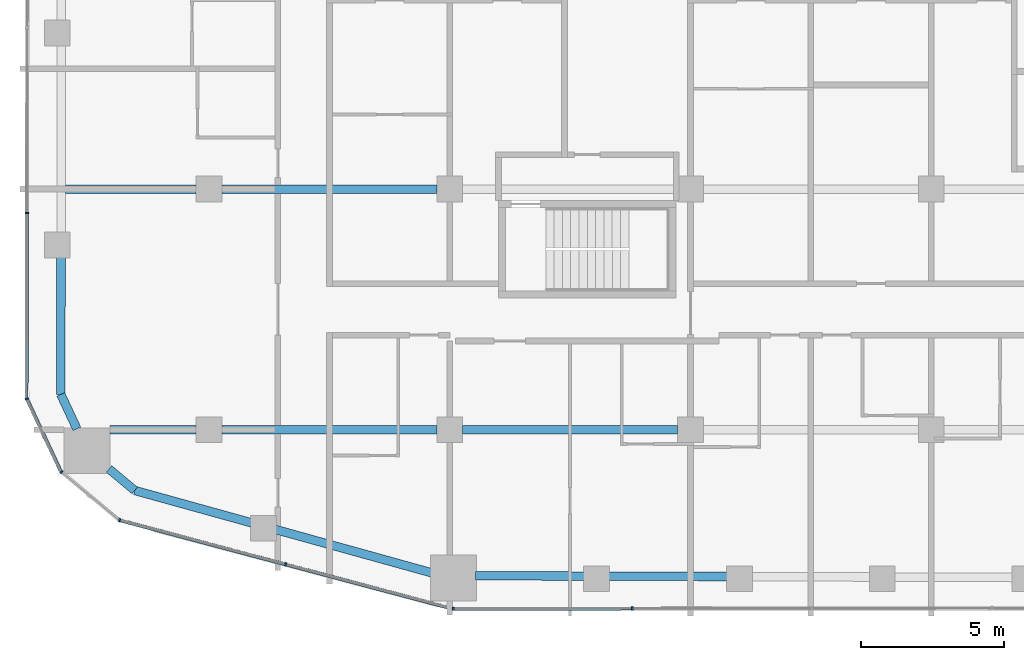
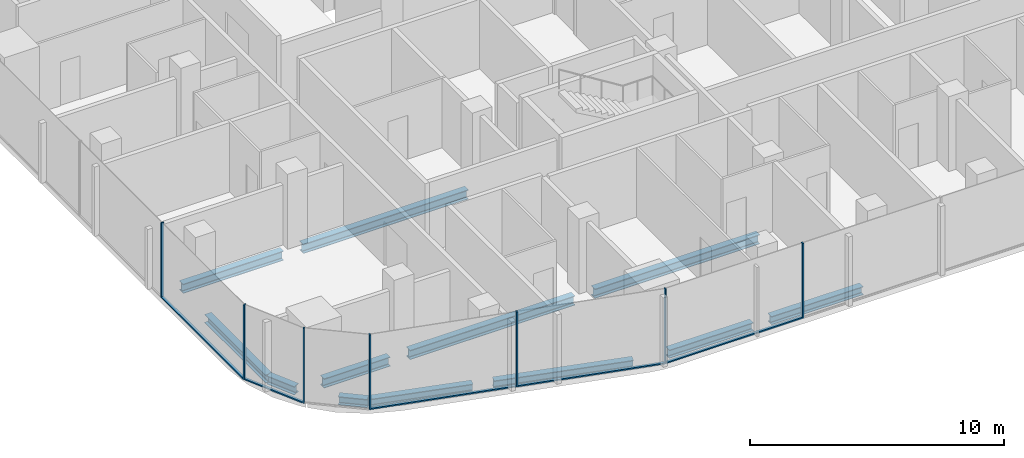
# One storey, part 2 of 23: 12 beams, 12 members, 5 elements without a shape of their own.
"""IFC4 building model written with IfcOpenShell, lengths in metres."""

from ifc_helpers import new_model, si_unit, direction, frame, origin, origin_2d, place, context, subcontext, project, spatial, rectangle, i_section, extrude, material, layer, layer_set, material_profile, profile_set, type_object, element, aggregate, save


model = new_model("IFC4")

# Units and contexts
model_context = context("Model", 3, precision=1e-05, world=origin(), true_north=direction((0.0, 1.0)))
body_context = subcontext(model_context, "Body", "Model", "MODEL_VIEW")
ifc_project = project(units=[si_unit("LENGTHUNIT", "METRE"), si_unit("AREAUNIT", "SQUARE_METRE"), si_unit("VOLUMEUNIT", "CUBIC_METRE"), si_unit("PLANEANGLEUNIT", "RADIAN"), si_unit("MASSUNIT", "GRAM", prefix="KILO")], contexts=[model_context])

# Site, building, storey
site_placement = place(None, origin())
site = spatial("IfcSite", under=ifc_project, at=site_placement, CompositionType="ELEMENT")
building_placement = place(site_placement, origin())
building = spatial("IfcBuilding", under=site, at=building_placement, Name="Marenta Gate Hotel Tower", CompositionType="ELEMENT")
storey_placement = place(building_placement, frame((0.0, 0.0, 162.5)))
storey = spatial("IfcBuildingStorey", under=building, at=storey_placement, Name="L38", CompositionType="ELEMENT", Elevation=162.5)

# Beams
ifc_material_1 = material(Name="Steel S355", Category="steel")
ifc_material_profile_1 = material_profile(ifc_material_1, i_section(OverallWidth=0.300048828125, OverallDepth=0.39990234375, WebThickness=0.013427734375, FlangeThickness=0.02392578125, FilletRadius=0.027099609375, at=origin_2d()), Name="HEB 400")
ifc_profile_set_1 = profile_set([ifc_material_profile_1], Name="Steel S355")
beam_type_1 = type_object("IfcBeamType", Name="Edge beam HEB 400", PredefinedType="SPANDREL", material=ifc_profile_set_1)
beam_1_placement = place(storey_placement, frame((-13.227783203125, -21.794677734375, -0.4599609375), z_axis=(-0.963615860477, 0.267290990189, 0.0), x_axis=(-0.267290990189, -0.963615860477, 0.0)))
element("IfcBeam", 1, at=beam_1_placement, inside=storey, type_object=beam_type_1, Name="L38-EB-1", PredefinedType="SPANDREL", context=body_context, shape_type="SweptSolid", body=[
    extrude(i_section(OverallWidth=0.300048828125, OverallDepth=0.39990234375, WebThickness=0.013427734375, FlangeThickness=0.02392578125, FilletRadius=0.027099609375, at=origin_2d()), origin(), (0.0, 0.0, 1.0), 5.674072265625),
])
beam_2_placement = place(storey_placement, frame((-19.518310546875, -20.0498046875, -0.4599609375), z_axis=(-0.963630213062, 0.267239242016, 0.0), x_axis=(-0.267239242016, -0.963630213062, 0.0)))
element("IfcBeam", 2, at=beam_2_placement, inside=storey, type_object=beam_type_1, Name="L38-EB-2", PredefinedType="SPANDREL", context=body_context, shape_type="SweptSolid", body=[
    extrude(i_section(OverallWidth=0.300048828125, OverallDepth=0.39990234375, WebThickness=0.013427734375, FlangeThickness=0.02392578125, FilletRadius=0.027099609375, at=origin_2d()), origin(), (0.0, 0.0, 1.0), 4.232666015625),
])
beam_3_placement = place(storey_placement, frame((-23.596923828125, -18.918701171875, -0.4599609375), z_axis=(-0.767073132856, 0.641559668972, 0.0), x_axis=(-0.641559668972, -0.767073132856, 0.0)))
element("IfcBeam", 3, at=beam_3_placement, inside=storey, type_object=beam_type_1, Name="L38-EB-3", PredefinedType="SPANDREL", context=body_context, shape_type="SweptSolid", body=[
    extrude(i_section(OverallWidth=0.300048828125, OverallDepth=0.39990234375, WebThickness=0.013427734375, FlangeThickness=0.02392578125, FilletRadius=0.027099609375, at=origin_2d()), origin(), (0.0, 0.0, 1.0), 1.1689453125),
])
beam_4_placement = place(storey_placement, frame((-25.613525390625, -16.769287109375, -0.4599609375), z_axis=(-0.423207780269, 0.906032656541, 0.0), x_axis=(-0.906032656541, -0.423207780269, 0.0)))
element("IfcBeam", 4, at=beam_4_placement, inside=storey, type_object=beam_type_1, Name="L38-EB-4", PredefinedType="SPANDREL", context=body_context, shape_type="SweptSolid", body=[
    extrude(i_section(OverallWidth=0.300048828125, OverallDepth=0.39990234375, WebThickness=0.013427734375, FlangeThickness=0.02392578125, FilletRadius=0.027099609375, at=origin_2d()), origin(), (0.0, 0.0, 1.0), 1.326904296875),
])
beam_5_placement = place(storey_placement, frame((-26.175048828125, -15.567138671875, -0.4599609375), z_axis=(0.001371810517, 0.999999059068, 0.0), x_axis=(-0.999999059068, 0.001371810517, 0.0)))
element("IfcBeam", 5, at=beam_5_placement, inside=storey, type_object=beam_type_1, Name="L38-EB-5", PredefinedType="SPANDREL", context=body_context, shape_type="SweptSolid", body=[
    extrude(i_section(OverallWidth=0.300048828125, OverallDepth=0.39990234375, WebThickness=0.013427734375, FlangeThickness=0.02392578125, FilletRadius=0.027099609375, at=origin_2d()), origin(), (0.0, 0.0, 1.0), 4.80517578125),
])
beam_6_placement = place(storey_placement, frame((-2.9033203125, -21.92333984375, -0.4599609375), z_axis=(-0.999994807487, 0.003222576575, 0.0), x_axis=(-0.003222576575, -0.999994807487, 0.0)))
element("IfcBeam", 6, at=beam_6_placement, inside=storey, type_object=beam_type_1, Name="L38-EB-35", PredefinedType="SPANDREL", context=body_context, shape_type="SweptSolid", body=[
    extrude(i_section(OverallWidth=0.300048828125, OverallDepth=0.39990234375, WebThickness=0.013427734375, FlangeThickness=0.02392578125, FilletRadius=0.027099609375, at=origin_2d()), origin(), (0.0, 0.0, 1.0), 4.166748046875),
])
beam_7_placement = place(storey_placement, frame((-7.89013671875, -21.907470703125, -0.4599609375), z_axis=(-0.999994677283, 0.003262729738, 0.0), x_axis=(-0.003262729738, -0.999994677283, 0.0)))
element("IfcBeam", 7, at=beam_7_placement, inside=storey, type_object=beam_type_1, Name="L38-EB-36", PredefinedType="SPANDREL", context=body_context, shape_type="SweptSolid", body=[
    extrude(i_section(OverallWidth=0.300048828125, OverallDepth=0.39990234375, WebThickness=0.013427734375, FlangeThickness=0.02392578125, FilletRadius=0.027099609375, at=origin_2d()), origin(), (0.0, 0.0, 1.0), 3.816162109375),
])
ifc_material_2 = material(Name="Steel S355", Category="steel")
ifc_material_profile_2 = material_profile(ifc_material_2, i_section(OverallWidth=0.300048828125, OverallDepth=0.449951171875, WebThickness=0.013916015625, FlangeThickness=0.02587890625, FilletRadius=0.027099609375, at=origin_2d()), Name="HEB 450")
ifc_profile_set_2 = profile_set([ifc_material_profile_2], Name="Steel S355")
beam_type_2 = type_object("IfcBeamType", Name="Girder HEB 450", PredefinedType="BEAM", material=ifc_profile_set_2)
beam_8_placement = place(storey_placement, frame((-24.462890625, -16.800048828125, -0.485107421875), z_axis=(1.0, 0.0, 0.0), x_axis=(0.0, 1.0, 0.0)))
element("IfcBeam", 8, at=beam_8_placement, inside=storey, type_object=beam_type_2, Name="L38-GD-1", PredefinedType="BEAM", context=body_context, shape_type="SweptSolid", body=[
    extrude(i_section(OverallWidth=0.300048828125, OverallDepth=0.449951171875, WebThickness=0.013916015625, FlangeThickness=0.02587890625, FilletRadius=0.027099609375, at=origin_2d()), origin(), (0.0, 0.0, 1.0), 3.012939453125),
])
for number, where, z_axis, x_axis, name in (
    (9, (-20.550048828125, -16.800048828125, -0.485107421875), (1.0, 0.0, 0.0), (0.0, 1.0, 0.0), "L38-GD-2"),
    (10, (-12.14990234375, -16.800048828125, -0.485107421875), (1.0, 0.0, 0.0), (0.0, 1.0, 0.0), "L38-GD-3"),
):
    element("IfcBeam", number, at=place(storey_placement, frame(where, z_axis=z_axis, x_axis=x_axis)), inside=storey, type_object=beam_type_2, Name=name, PredefinedType="BEAM", context=body_context, shape_type="SweptSolid", body=[
        extrude(i_section(OverallWidth=0.300048828125, OverallDepth=0.449951171875, WebThickness=0.013916015625, FlangeThickness=0.02587890625, FilletRadius=0.027099609375, at=origin_2d()), origin(), (0.0, 0.0, 1.0), 7.5),
    ])
beam_9_placement = place(storey_placement, frame((-26.01513671875, -8.39990234375, -0.485107421875), z_axis=(1.0, 0.0, 0.0), x_axis=(0.0, 1.0, 0.0)))
element("IfcBeam", 11, at=beam_9_placement, inside=storey, type_object=beam_type_2, Name="L38-GD-8", PredefinedType="BEAM", context=body_context, shape_type="SweptSolid", body=[
    extrude(i_section(OverallWidth=0.300048828125, OverallDepth=0.449951171875, WebThickness=0.013916015625, FlangeThickness=0.02587890625, FilletRadius=0.027099609375, at=origin_2d()), origin(), (0.0, 0.0, 1.0), 4.565185546875),
])
beam_10_placement = place(storey_placement, frame((-20.550048828125, -8.39990234375, -0.485107421875), z_axis=(1.0, 0.0, 0.0), x_axis=(0.0, 1.0, 0.0)))
element("IfcBeam", 12, at=beam_10_placement, inside=storey, type_object=beam_type_2, Name="L38-GD-9", PredefinedType="BEAM", context=body_context, shape_type="SweptSolid", body=[
    extrude(i_section(OverallWidth=0.300048828125, OverallDepth=0.449951171875, WebThickness=0.013916015625, FlangeThickness=0.02587890625, FilletRadius=0.027099609375, at=origin_2d()), origin(), (0.0, 0.0, 1.0), 7.5),
])

# Curtain wall, member
ifc_material_3 = material(Name="Tinted insulated glass in bronze anodised frame", Category="glass")
ifc_layer = layer(ifc_material_3, 0.1201171875)
ifc_layer_set = layer_set([ifc_layer], Name="Tinted insulated glass in bronze anodised frame")
curtain_wall_type = type_object("IfcCurtainWallType", Name="Tower unitised curtain wall CW1", PredefinedType="NOTDEFINED", material=ifc_layer_set)
curtain_wall_1_placement = place(storey_placement, origin())
curtain_wall_1 = element("IfcCurtainWall", 13, at=curtain_wall_1_placement, inside=storey, type_object=curtain_wall_type, Name="CW1 run G03", PredefinedType="NOTDEFINED")
ifc_material_4 = material(Name="Bronze anodised aluminium", Category="aluminium")
ifc_material_profile_3 = material_profile(ifc_material_4, rectangle(XDim=0.1201171875, YDim=0.06005859375, at=origin_2d()), Name="Mullion CW1 60x120 bronze anodised aluminium")
ifc_profile_set_3 = profile_set([ifc_material_profile_3], Name="Bronze anodised aluminium")
member_type_1 = type_object("IfcMemberType", Name="Mullion CW1 60x120 bronze anodised aluminium", PredefinedType="MULLION", material=ifc_profile_set_3)
member_1_placement = place(storey_placement, frame((-27.36279296875, -9.23388671875, 0.0), z_axis=(0.0, 0.0, 1.0), x_axis=(0.99999877375, -0.001566045546, 0.0)))
member_1 = element("IfcMember", 14, at=member_1_placement, type_object=member_type_1, Name="CW1 mullion 6", PredefinedType="MULLION", context=body_context, shape_type="SweptSolid", body=[
    extrude(rectangle(XDim=0.1201171875, YDim=0.06005859375, at=origin_2d()), origin(), (0.0, 0.0, 1.0), 3.60009765625),
])

curtain_wall_2_placement = place(storey_placement, origin())
curtain_wall_2 = element("IfcCurtainWall", 15, at=curtain_wall_2_placement, inside=storey, type_object=curtain_wall_type, Name="CW1 run G04", PredefinedType="NOTDEFINED")
member_2_placement = place(storey_placement, frame((-27.3603515625, -15.720947265625, 0.0), z_axis=(0.0, 0.0, 1.0), x_axis=(0.905971778319, 0.423338088163, 0.0)))
member_2 = element("IfcMember", 16, at=member_2_placement, type_object=member_type_1, Name="CW1 mullion 1", PredefinedType="MULLION", context=body_context, shape_type="SweptSolid", body=[
    extrude(rectangle(XDim=0.1201171875, YDim=0.06005859375, at=origin_2d()), origin(), (0.0, 0.0, 1.0), 3.60009765625),
])

curtain_wall_3_placement = place(storey_placement, origin())
curtain_wall_3 = element("IfcCurtainWall", 17, at=curtain_wall_3_placement, inside=storey, type_object=curtain_wall_type, Name="CW1 run G05", PredefinedType="NOTDEFINED")
member_3_placement = place(storey_placement, frame((-26.152099609375, -18.27685546875, 0.0), z_axis=(0.0, 0.0, 1.0), x_axis=(0.641512168126, 0.767112858807, 0.0)))
member_3 = element("IfcMember", 18, at=member_3_placement, type_object=member_type_1, Name="CW1 mullion 1", PredefinedType="MULLION", context=body_context, shape_type="SweptSolid", body=[
    extrude(rectangle(XDim=0.1201171875, YDim=0.06005859375, at=origin_2d()), origin(), (0.0, 0.0, 1.0), 3.60009765625),
])
aggregate(curtain_wall_3, [member_3])

# Curtain wall, members
curtain_wall_4_placement = place(storey_placement, origin())
curtain_wall_4 = element("IfcCurtainWall", 19, at=curtain_wall_4_placement, inside=storey, type_object=curtain_wall_type, Name="CW1 run G06", PredefinedType="NOTDEFINED")
member_4_placement = place(storey_placement, frame((-24.12451171875, -19.955810546875, 0.0), z_axis=(0.0, 0.0, 1.0), x_axis=(0.257143631229, 0.966373195468, 0.0)))
member_4 = element("IfcMember", 20, at=member_4_placement, type_object=member_type_1, Name="CW1 mullion 1", PredefinedType="MULLION", context=body_context, shape_type="SweptSolid", body=[
    extrude(rectangle(XDim=0.1201171875, YDim=0.06005859375, at=origin_2d()), origin(), (0.0, 0.0, 1.0), 3.60009765625),
])
member_5_placement = place(storey_placement, frame((-18.32958984375, -21.497802734375, 0.0), z_axis=(0.0, 0.0, 1.0), x_axis=(0.257143631229, 0.966373195468, 0.0)))
member_5 = element("IfcMember", 21, at=member_5_placement, type_object=member_type_1, Name="CW1 mullion 2", PredefinedType="MULLION", context=body_context, shape_type="SweptSolid", body=[
    extrude(rectangle(XDim=0.1201171875, YDim=0.06005859375, at=origin_2d()), origin(), (0.0, 0.0, 1.0), 3.60009765625),
])

curtain_wall_5_placement = place(storey_placement, origin())
curtain_wall_5 = element("IfcCurtainWall", 22, at=curtain_wall_5_placement, inside=storey, type_object=curtain_wall_type, Name="CW1 run G07", PredefinedType="NOTDEFINED")
member_6_placement = place(storey_placement, frame((-12.475830078125, -23.04736328125, 0.0), z_axis=(0.0, 0.0, 1.0), x_axis=(-0.001362347707, 0.999999072004, 0.0)))
member_6 = element("IfcMember", 23, at=member_6_placement, type_object=member_type_1, Name="CW1 mullion 1", PredefinedType="MULLION", context=body_context, shape_type="SweptSolid", body=[
    extrude(rectangle(XDim=0.1201171875, YDim=0.06005859375, at=origin_2d()), origin(), (0.0, 0.0, 1.0), 3.60009765625),
])
member_7_placement = place(storey_placement, frame((-6.22998046875, -23.0390625, 0.0), z_axis=(0.0, 0.0, 1.0), x_axis=(-0.001362347707, 0.999999072004, 0.0)))
member_7 = element("IfcMember", 24, at=member_7_placement, type_object=member_type_1, Name="CW1 mullion 2", PredefinedType="MULLION", context=body_context, shape_type="SweptSolid", body=[
    extrude(rectangle(XDim=0.1201171875, YDim=0.06005859375, at=origin_2d()), origin(), (0.0, 0.0, 1.0), 3.60009765625),
])

# Member
ifc_material_5 = material(Name="Bronze anodised aluminium", Category="aluminium")
ifc_material_profile_4 = material_profile(ifc_material_5, rectangle(XDim=0.1201171875, YDim=0.06005859375, at=origin_2d()), Name="Transom CW1 60x120 bronze anodised aluminium")
ifc_profile_set_4 = profile_set([ifc_material_profile_4], Name="Bronze anodised aluminium")
member_type_2 = type_object("IfcMemberType", Name="Transom CW1 60x120 bronze anodised aluminium", PredefinedType="USERDEFINED", material=ifc_profile_set_4)
member_8_placement = place(storey_placement, frame((-27.363037109375, -9.263916015625, 0.030029296875), z_axis=(-0.001556743377, -0.999998788274, 0.0), x_axis=(0.999998788274, -0.001556743377, 0.0)))
member_8 = element("IfcMember", 25, at=member_8_placement, type_object=member_type_2, Name="CW1 transom 6.1", ObjectType="TRANSOM", PredefinedType="USERDEFINED", context=body_context, shape_type="SweptSolid", body=[
    extrude(rectangle(XDim=0.1201171875, YDim=0.06005859375, at=origin_2d()), origin(), (0.0, 0.0, 1.0), 6.429931640625),
])

aggregate(curtain_wall_1, [member_1, member_8])

member_9_placement = place(storey_placement, frame((-27.34765625, -15.748046875, 0.030029296875), z_axis=(0.423329323939, -0.905975873572, 0.0), x_axis=(0.905975873572, 0.423329323939, 0.0)))
member_9 = element("IfcMember", 26, at=member_9_placement, type_object=member_type_2, Name="CW1 transom 1.1", ObjectType="TRANSOM", PredefinedType="USERDEFINED", context=body_context, shape_type="SweptSolid", body=[
    extrude(rectangle(XDim=0.1201171875, YDim=0.06005859375, at=origin_2d()), origin(), (0.0, 0.0, 1.0), 2.77001953125),
])

aggregate(curtain_wall_2, [member_2, member_9])

member_10_placement = place(storey_placement, frame((-24.095458984375, -19.963623046875, 0.030029296875), z_axis=(0.966369276777, -0.257158357634, 0.0), x_axis=(0.257158357634, 0.966369276777, 0.0)))
member_10 = element("IfcMember", 27, at=member_10_placement, type_object=member_type_2, Name="CW1 transom 1.1", ObjectType="TRANSOM", PredefinedType="USERDEFINED", context=body_context, shape_type="SweptSolid", body=[
    extrude(rectangle(XDim=0.1201171875, YDim=0.06005859375, at=origin_2d()), origin(), (0.0, 0.0, 1.0), 5.9365234375),
])

member_11_placement = place(storey_placement, frame((-18.300537109375, -21.505615234375, 0.030029296875), z_axis=(0.966369960125, -0.257155789684, 0.0), x_axis=(0.257155789684, 0.966369960125, 0.0)))
member_11 = element("IfcMember", 28, at=member_11_placement, type_object=member_type_2, Name="CW1 transom 2.1", ObjectType="TRANSOM", PredefinedType="USERDEFINED", context=body_context, shape_type="SweptSolid", body=[
    extrude(rectangle(XDim=0.1201171875, YDim=0.06005859375, at=origin_2d()), origin(), (0.0, 0.0, 1.0), 5.996337890625),
])

aggregate(curtain_wall_4, [member_4, member_5, member_10, member_11])

member_12_placement = place(storey_placement, frame((-12.44580078125, -23.04736328125, 0.030029296875), z_axis=(0.999999099639, 0.001341909831, 0.0), x_axis=(-0.001341909831, 0.999999099639, 0.0)))
member_12 = element("IfcMember", 29, at=member_12_placement, type_object=member_type_2, Name="CW1 transom 1.1", ObjectType="TRANSOM", PredefinedType="USERDEFINED", context=body_context, shape_type="SweptSolid", body=[
    extrude(rectangle(XDim=0.1201171875, YDim=0.06005859375, at=origin_2d()), origin(), (0.0, 0.0, 1.0), 6.185791015625),
])

aggregate(curtain_wall_5, [member_6, member_7, member_12])

save(model, "model.ifc")
